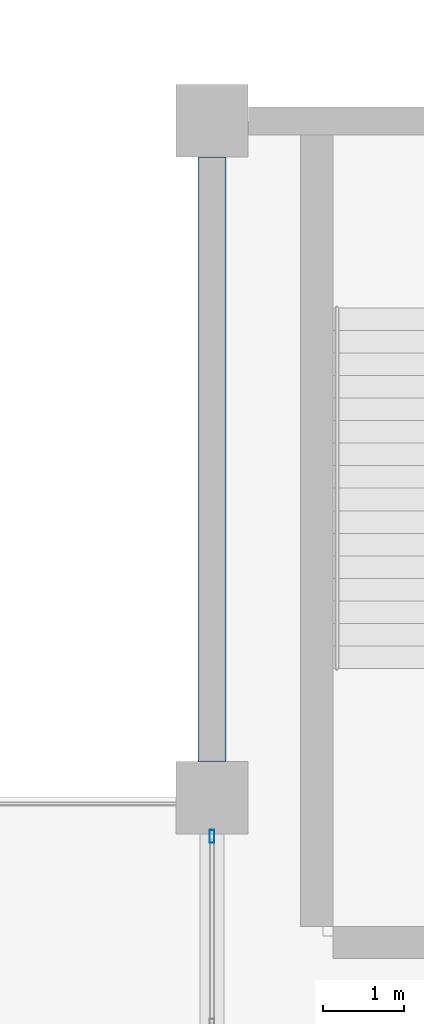
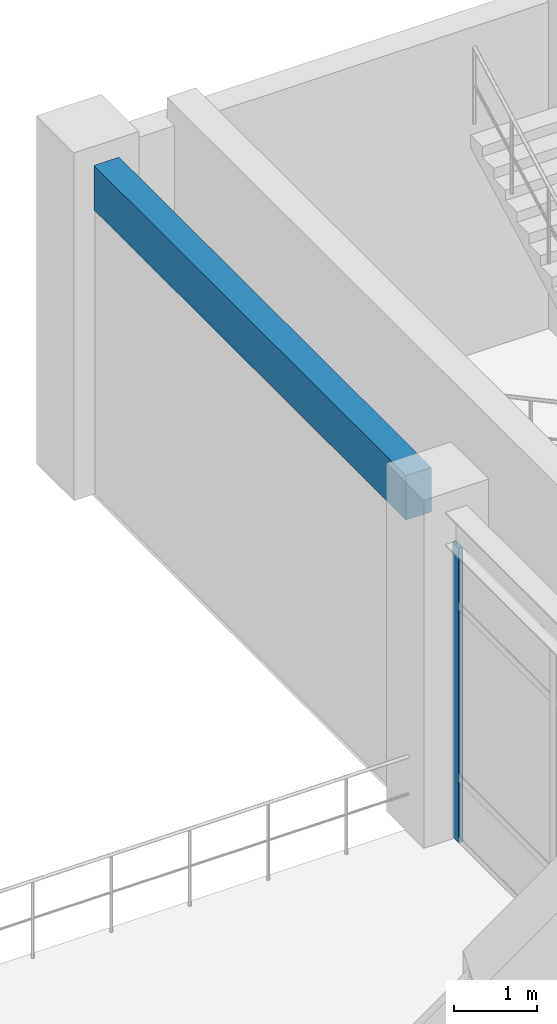
# One storey, part 46 of 120: 1 beam, 1 member, 1 element without a shape of its own.
"""IFC4 building model written with IfcOpenShell, lengths in metres."""

import ifcopenshell
import ifcopenshell.guid

model = None  # the IFC model being written
_history = None  # IfcOwnerHistory: only IFC2X3 demands one
_inside = {}  # id of a spatial element -> (the spatial element, [elements in it])
_under = {}  # id of a project, library or spatial element -> (it, [spatial elements below it])
_declared = {}  # id of a project -> (the project, [libraries it declares])
_typed = {}  # id of a type object -> (the type object, [elements of that type])
_made_of = {}  # id of a material, layer set ... -> (it, [elements and type objects made of it])


def new_model(schema):
    """Start an empty IFC model of exactly this schema.

    Asked for "IFC4X3", IfcOpenShell would pick the latest addendum, in which some entities
    have other attributes; the version numbers below select the first issue.
    IFC2X3 requires an IfcOwnerHistory on every rooted entity: one is made here for all.
    """
    global model, _history
    if schema == "IFC4X3":
        model = ifcopenshell.file(schema_version=(4, 3, 0, 0))
    else:
        model = ifcopenshell.file(schema=schema)
    _inside.clear()
    _under.clear()
    _declared.clear()
    _typed.clear()
    _made_of.clear()
    _history = None
    if model.schema == "IFC2X3":
        org = make("IfcOrganization", Name="unknown")
        user = make(
            "IfcPersonAndOrganization",
            ThePerson=make("IfcPerson", FamilyName="unknown"),
            TheOrganization=org,
        )
        app = make(
            "IfcApplication",
            ApplicationDeveloper=org,
            Version="unknown",
            ApplicationFullName="unknown",
            ApplicationIdentifier="unknown",
        )
        _history = make(
            "IfcOwnerHistory",
            OwningUser=user,
            OwningApplication=app,
            ChangeAction="ADDED",
            CreationDate=0,
        )
    return model


def make(cls, **values):
    """One entity of the class cls with the attributes given. An attribute that is None is left unset."""
    return model.create_entity(
        cls, **{name: value for name, value in values.items() if value is not None}
    )


def rooted(cls, **values):
    """An entity with a GlobalId (a new one), such as an element, a storey or a relation."""
    return make(cls, GlobalId=ifcopenshell.guid.new(), OwnerHistory=_history, **values)


def si_unit(unit_type, name, prefix=None):
    """IfcSIUnit, for example si_unit("LENGTHUNIT", "METRE", prefix="MILLI")."""
    return make("IfcSIUnit", UnitType=unit_type, Prefix=prefix, Name=name)


def derived_unit(unit_type, elements):
    """IfcDerivedUnit: a product of units, each with its exponent."""
    return make(
        "IfcDerivedUnit",
        Elements=[
            make("IfcDerivedUnitElement", Unit=unit, Exponent=power)
            for unit, power in elements
        ],
        UnitType=unit_type,
    )


def assignment(units):
    """IfcUnitAssignment: the units of a project."""
    return None if units is None else make("IfcUnitAssignment", Units=units)


def point(xyz):
    """IfcCartesianPoint."""
    return None if xyz is None else make("IfcCartesianPoint", Coordinates=xyz)


def direction(xyz):
    """IfcDirection."""
    return None if xyz is None else make("IfcDirection", DirectionRatios=xyz)


def frame(location, z_axis=None, x_axis=None):
    """IfcAxis2Placement3D, a coordinate frame: its origin and axes. An axis left out is left unset."""
    return make(
        "IfcAxis2Placement3D",
        Location=point(location),
        Axis=direction(z_axis),
        RefDirection=direction(x_axis),
    )


def frame_2d(location, x_axis=None):
    """IfcAxis2Placement2D, a coordinate frame in the plane: its origin and x axis."""
    return make(
        "IfcAxis2Placement2D", Location=point(location), RefDirection=direction(x_axis)
    )


def origin():
    """The frame at (0, 0, 0) with its axes left unset."""
    return frame((0.0, 0.0, 0.0))


def origin_2d():
    """The frame at (0, 0) in the plane with its x axis left unset."""
    return frame_2d((0.0, 0.0))


def place(relative_to, where):
    """IfcLocalPlacement: puts the frame where relative to a parent placement (None: the world)."""
    return make(
        "IfcLocalPlacement", PlacementRelTo=relative_to, RelativePlacement=where
    )


def context(
    kind, dimensions, precision=None, world=None, true_north=None, identifier=None
):
    """IfcGeometricRepresentationContext, for example the 3D "Model" context."""
    return make(
        "IfcGeometricRepresentationContext",
        ContextIdentifier=identifier,
        ContextType=kind,
        CoordinateSpaceDimension=dimensions,
        Precision=precision,
        WorldCoordinateSystem=world,
        TrueNorth=true_north,
    )


def subcontext(parent, identifier, kind, view, scale=None):
    """IfcGeometricRepresentationSubContext, for example "Body" below "Model"."""
    return make(
        "IfcGeometricRepresentationSubContext",
        ContextIdentifier=identifier,
        ContextType=kind,
        ParentContext=parent,
        TargetScale=scale,
        TargetView=view,
    )


def project(units=None, contexts=None):
    """IfcProject with its units and contexts."""
    return rooted(
        "IfcProject",
        Name="project",
        RepresentationContexts=contexts,
        UnitsInContext=assignment(units),
    )


def spatial(cls, under=None, at=None, **own):
    """A site, building, storey or space (cls), placed at a placement, below another one or the project."""
    s = rooted(cls, ObjectPlacement=at, **own)
    if under is not None:
        _under.setdefault(under.id(), (under, []))[1].append(s)
    return s


def profile(cls, at=None, kind="AREA", **sizes):
    """A parametric profile (cls). Its sizes go by their IFC names, for example OverallWidth=200.0."""
    return make(cls, ProfileType=kind, Position=at, **sizes)


def rectangle(**sizes):
    """IfcRectangleProfileDef."""
    return profile("IfcRectangleProfileDef", **sizes)


def hollow_rectangle(**sizes):
    """IfcRectangleHollowProfileDef."""
    return profile("IfcRectangleHollowProfileDef", **sizes)


def extrude(swept, where, along, depth):
    """IfcExtrudedAreaSolid: the profile swept, set in the frame where, extruded along a direction by depth."""
    return make(
        "IfcExtrudedAreaSolid",
        SweptArea=swept,
        Position=where,
        ExtrudedDirection=direction(along),
        Depth=depth,
    )


def shape(context_of_items, identifier, shape_type, items):
    """IfcShapeRepresentation: the items that make up one representation, for example the "Body"."""
    return make(
        "IfcShapeRepresentation",
        ContextOfItems=context_of_items,
        RepresentationIdentifier=identifier,
        RepresentationType=shape_type,
        Items=items,
    )


def material(Name=None, Category=None):
    """IfcMaterial."""
    return make("IfcMaterial", Name=Name, Category=Category)


def layer(
    of_material, thickness, ventilated=None, Name=None, Category=None, Priority=None
):
    """IfcMaterialLayer: one layer of a wall or slab, of a material (None: an air gap)."""
    return make(
        "IfcMaterialLayer",
        Material=of_material,
        LayerThickness=thickness,
        IsVentilated=ventilated,
        Name=Name,
        Category=Category,
        Priority=Priority,
    )


def layer_set(layers, Name=None):
    """IfcMaterialLayerSet."""
    return make("IfcMaterialLayerSet", MaterialLayers=layers, LayerSetName=Name)


def material_profile(
    of_material, cross_section, Name=None, Category=None, Priority=None
):
    """IfcMaterialProfile: a cross section and its material."""
    return make(
        "IfcMaterialProfile",
        Name=Name,
        Material=of_material,
        Profile=cross_section,
        Priority=Priority,
        Category=Category,
    )


def profile_set(profiles, Name=None, composite=None):
    """IfcMaterialProfileSet."""
    return make(
        "IfcMaterialProfileSet",
        Name=Name,
        MaterialProfiles=profiles,
        CompositeProfile=composite,
    )


def made_of(thing, what):
    """Note that an element or type object is made of a material, layer set ...; save() writes the relation."""
    if what is not None:
        _made_of.setdefault(what.id(), (what, []))[1].append(thing)
    return thing


def type_object(cls, material=None, **own):
    """A type object (cls), such as IfcWallType, which elements share."""
    return made_of(rooted(cls, **own), material)


def element(
    cls,
    number,
    at=None,
    inside=None,
    cuts=None,
    type_object=None,
    material=None,
    context=None,
    identifier="Body",
    shape_type=None,
    held_by="IfcProductDefinitionShape",
    body=None,
    shapes=None,
    **own,
):
    """One element of the class cls, such as IfcWall. Its Tag is "e" and its number.

    at: its placement. inside: the storey or other place that contains it. cuts: it is an
    opening in that element (IfcRelVoidsElement). A single representation is given by context,
    identifier, shape_type and body (its items); several are given by shapes. held_by: the class
    of the entity that holds the representations. save() writes the other relations.
    """
    e = rooted(cls, Tag="e%d" % number, ObjectPlacement=at, **own)
    if body is not None:
        shapes = [shape(context, identifier, shape_type, body)]
    if shapes is not None:
        e.Representation = make(held_by, Representations=shapes)
    if inside is not None:
        _inside.setdefault(inside.id(), (inside, []))[1].append(e)
    if cuts is not None:
        rooted(
            "IfcRelVoidsElement", RelatingBuildingElement=cuts, RelatedOpeningElement=e
        )
    if type_object is not None:
        _typed.setdefault(type_object.id(), (type_object, []))[1].append(e)
    return made_of(e, material)


def aggregate(whole, parts):
    """IfcRelAggregates: a whole, such as a stair, and the parts it consists of."""
    return rooted("IfcRelAggregates", RelatingObject=whole, RelatedObjects=parts)


def save(model, path):
    """Write the relations noted so far, then the file.

    IfcRelAggregates (storeys below a building ...), IfcRelContainedInSpatialStructure (elements
    in a storey), IfcRelDefinesByType, IfcRelAssociatesMaterial and IfcRelDeclares: one each for
    every whole, place, type object, material and project.
    """
    for whole, parts in _under.values():
        aggregate(whole, parts)
    for where, things in _inside.values():
        rooted(
            "IfcRelContainedInSpatialStructure",
            RelatedElements=things,
            RelatingStructure=where,
        )
    for kind, things in _typed.values():
        rooted("IfcRelDefinesByType", RelatedObjects=things, RelatingType=kind)
    for what, things in _made_of.values():
        rooted("IfcRelAssociatesMaterial", RelatedObjects=things, RelatingMaterial=what)
    for by, libraries in _declared.values():
        rooted("IfcRelDeclares", RelatingContext=by, RelatedDefinitions=libraries)
    model.write(path)


model = new_model("IFC4")

# Units and contexts
model_context = context("Model", 3, precision=1e-05, world=origin(), true_north=direction((0.0, 1.0)))
body_context = subcontext(model_context, "Body", "Model", "MODEL_VIEW")
ifc_project = project(units=[si_unit("LENGTHUNIT", "METRE"), si_unit("AREAUNIT", "SQUARE_METRE"), si_unit("VOLUMEUNIT", "CUBIC_METRE"), si_unit("PLANEANGLEUNIT", "RADIAN"), si_unit("MASSUNIT", "GRAM", prefix="KILO"), derived_unit("THERMALTRANSMITTANCEUNIT", [(si_unit("MASSUNIT", "GRAM", prefix="KILO"), 1), (si_unit("TIMEUNIT", "SECOND"), -3), (si_unit("THERMODYNAMICTEMPERATUREUNIT", "KELVIN"), -1)])], contexts=[model_context])

# Site, building, storey
site_placement = place(None, origin())
site = spatial("IfcSite", under=ifc_project, at=site_placement, CompositionType="ELEMENT")
building_placement = place(site_placement, origin())
building = spatial("IfcBuilding", under=site, at=building_placement, Name="Qinzheling Arcade Emporium", CompositionType="ELEMENT")
storey_placement = place(building_placement, frame((0.0, 0.0, 11.39990234375)))
storey = spatial("IfcBuildingStorey", under=building, at=storey_placement, Name="L03", CompositionType="ELEMENT", Elevation=11.39990234375)

# Curtain wall, member
ifc_material_1 = material(Name="Anodised aluminium and solar-control double glazing", Category="aluminium")
ifc_layer = layer(ifc_material_1, 0.159912109375, Name="Anodised aluminium and solar-control double glazing", Category="aluminium")
ifc_layer_set = layer_set([ifc_layer], Name="Anodised aluminium and solar-control double glazing")
curtain_wall_type = type_object("IfcCurtainWallType", Name="Atrium Clerestory Curtain Wall", PredefinedType="NOTDEFINED", material=ifc_layer_set)
curtain_wall_placement = place(storey_placement, origin())
curtain_wall = element("IfcCurtainWall", 1, at=curtain_wall_placement, inside=storey, type_object=curtain_wall_type, Name="Curtain Wall CW-L03-173", PredefinedType="NOTDEFINED")
ifc_material_2 = material(Name="Anodised aluminium 6063-T6", Category="aluminium")
ifc_material_profile_1 = material_profile(ifc_material_2, hollow_rectangle(XDim=0.06005859375, YDim=0.159912109375, WallThickness=0.00390625, InnerFilletRadius=0.00390625, OuterFilletRadius=0.008056640625, at=origin_2d()), Name="RHS 160x60x4", Category="aluminium")
ifc_profile_set_1 = profile_set([ifc_material_profile_1], Name="Anodised aluminium 6063-T6")
member_type = type_object("IfcMemberType", Name="Curtain Wall Mullion RHS160x60", PredefinedType="MULLION", material=ifc_profile_set_1)
member_placement = place(storey_placement, frame((34.800048828125, 64.91796875, 0.0), z_axis=(0.0, 0.0, 1.0), x_axis=(-1.0, 0.0, 0.0)))
member = element("IfcMember", 2, at=member_placement, type_object=member_type, Name="CW03 mullion 3", PredefinedType="MULLION", context=body_context, shape_type="SweptSolid", body=[
    extrude(hollow_rectangle(XDim=0.06005859375, YDim=0.159912109375, WallThickness=0.00390625, InnerFilletRadius=0.00390625, OuterFilletRadius=0.008056640625, at=origin_2d()), origin(), (0.0, 0.0, 1.0), 4.317138671875),
])
aggregate(curtain_wall, [member])

# Beam
ifc_material_3 = material(Name="Concrete C40", Category="concrete")
ifc_material_profile_2 = material_profile(ifc_material_3, rectangle(XDim=0.35009765625, YDim=0.64990234375, at=origin_2d()), Name="RC 350x650", Category="concrete")
ifc_profile_set_2 = profile_set([ifc_material_profile_2], Name="Concrete C40")
beam_type = type_object("IfcBeamType", Name="RC Spandrel Edge Beam 350x650 C40", PredefinedType="SPANDREL", material=ifc_profile_set_2)
beam_placement = place(storey_placement, frame((34.800048828125, 65.85009765625, 4.4951171875), z_axis=(0.0, 1.0, 0.0), x_axis=(-1.0, 0.0, 0.0)))
element("IfcBeam", 3, at=beam_placement, inside=storey, type_object=beam_type, Name="Beam BM-L03-Y-5-H", PredefinedType="SPANDREL", context=body_context, shape_type="SweptSolid", body=[
    extrude(rectangle(XDim=0.35009765625, YDim=0.64990234375, at=origin_2d()), origin(), (0.0, 0.0, 1.0), 7.5),
])

save(model, "model.ifc")
